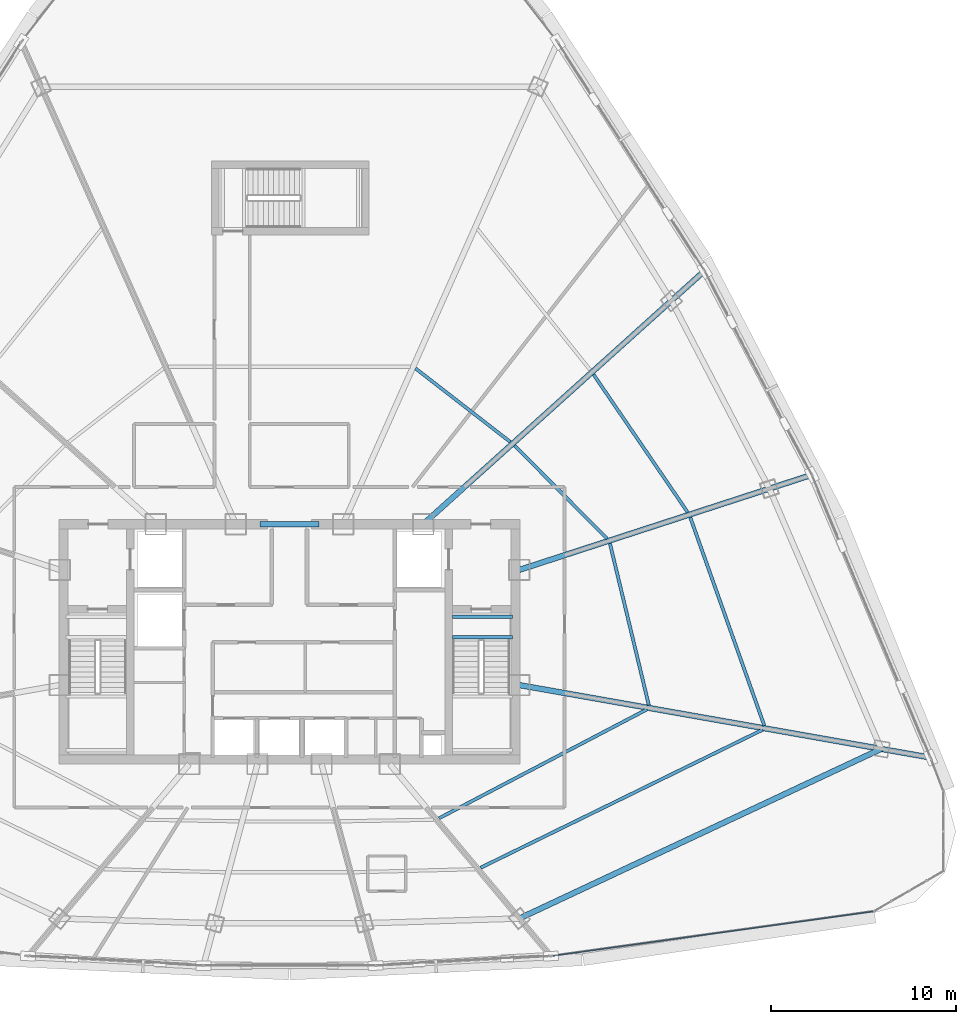
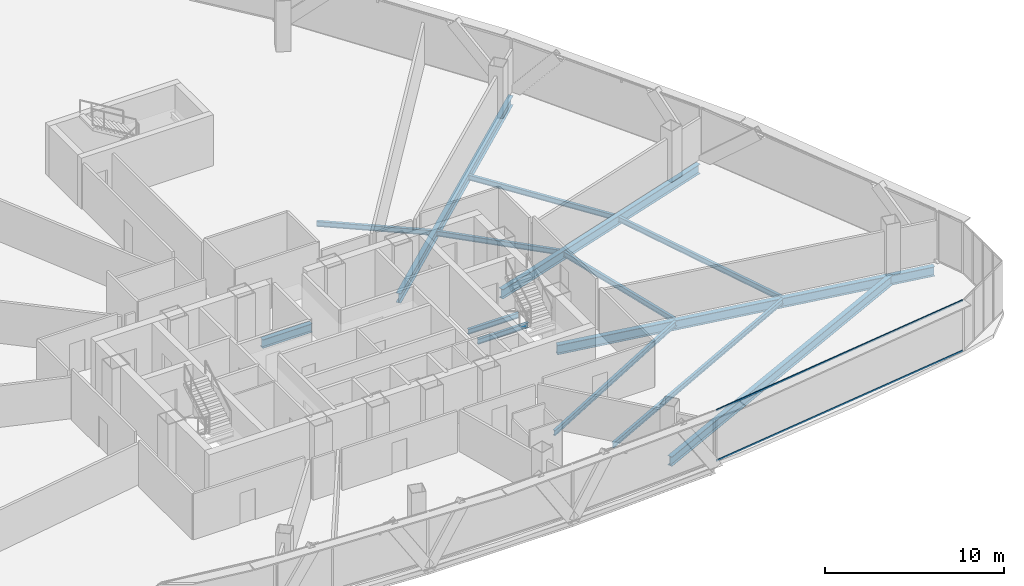
# One storey, part 13 of 37: 14 beams, 2 members, 1 element without a shape of its own.
"""IFC4 building model written with IfcOpenShell, lengths in metres."""

from ifc_helpers import new_model, si_unit, direction, frame, origin, origin_2d, place, context, subcontext, project, spatial, hollow_rectangle, i_section, extrude, source, transform, mapped, material, layer, layer_set, material_profile, profile_set, type_object, element, aggregate, save


model = new_model("IFC4")

# Units and contexts
model_context = context("Model", 3, precision=1e-05, world=origin(), true_north=direction((0.0, 1.0)))
body_context = subcontext(model_context, "Body", "Model", "MODEL_VIEW")
ifc_project = project(units=[si_unit("LENGTHUNIT", "METRE"), si_unit("AREAUNIT", "SQUARE_METRE"), si_unit("VOLUMEUNIT", "CUBIC_METRE"), si_unit("PLANEANGLEUNIT", "RADIAN"), si_unit("MASSUNIT", "GRAM", prefix="KILO"), si_unit("THERMODYNAMICTEMPERATUREUNIT", "KELVIN"), si_unit("POWERUNIT", "WATT")], contexts=[model_context])

# Site, building, storey
site_placement = place(None, origin())
site = spatial("IfcSite", under=ifc_project, at=site_placement, CompositionType="ELEMENT")
building_placement = place(site_placement, origin())
building = spatial("IfcBuilding", under=site, at=building_placement, Name="Yunzhuo Pagoda Commons", CompositionType="ELEMENT")
storey_placement = place(building_placement, frame((0.0, 0.0, 240.800048828125)))
storey = spatial("IfcBuildingStorey", under=building, at=storey_placement, Name="L60", CompositionType="ELEMENT", Elevation=240.800048828125)

# Beams
ifc_material_1 = material(Name="Structural steel Q355B", Category="steel")
ifc_material_profile_1 = material_profile(ifc_material_1, i_section(OverallWidth=0.175048828125, OverallDepth=0.35009765625, WebThickness=0.007080078125, FlangeThickness=0.010986328125, at=origin_2d()), Name="Structural steel Q355B")
ifc_profile_set_1 = profile_set([ifc_material_profile_1], Name="Structural steel Q355B")
beam_type_1 = type_object("IfcBeamType", Name="B-JS2 Joist HN 350x175x7x11", PredefinedType="JOIST", material=ifc_profile_set_1)
shared_shape_1 = source(origin(), body_context, "Body", "SweptSolid", [
    extrude(i_section(OverallWidth=0.175048828125, OverallDepth=0.35009765625, WebThickness=0.007080078125, FlangeThickness=0.010986328125, at=origin_2d()), origin(), (0.0, 0.0, 1.0), 3.25),
])
for number, where, z_axis, x_axis, name in (
    (1, (56.800048828125, 34.10009765625, -0.375), (1.0, 0.0, 0.0), (0.0, 1.0, 0.0), "L60 ST2 landing support beam 164A"),
    (2, (56.800048828125, 35.199951171875, -0.375), (1.0, 0.0, 0.0), (0.0, 1.0, 0.0), "L60 ST2 landing support beam 164B"),
):
    element("IfcBeam", number, at=place(storey_placement, frame(where, z_axis=z_axis, x_axis=x_axis)), inside=storey, type_object=beam_type_1, Name=name, PredefinedType="JOIST", context=body_context, shape_type="MappedRepresentation", body=[
        mapped(shared_shape_1, transform((0.0, 0.0, 0.0), scale=1.0)),
    ])
ifc_material_2 = material(Name="Structural steel Q420B", Category="steel")
ifc_material_profile_2 = material_profile(ifc_material_2, i_section(OverallWidth=0.300048828125, OverallDepth=0.587890625, WebThickness=0.011962890625, FlangeThickness=0.02001953125, at=origin_2d()), Name="Structural steel Q420B")
ifc_profile_set_2 = profile_set([ifc_material_profile_2], Name="Structural steel Q420B")
beam_type_2 = type_object("IfcBeamType", Name="B-CPL Beam HM 588x300x12x20", PredefinedType="BEAM", material=ifc_profile_set_2)
shared_shape_2 = source(origin(), body_context, "Body", "SweptSolid", [
    extrude(i_section(OverallWidth=0.300048828125, OverallDepth=0.587890625, WebThickness=0.011962890625, FlangeThickness=0.02001953125, at=origin_2d()), origin(), (0.0, 0.0, 1.0), 3.2001953125),
])
beam_1_placement = place(storey_placement, frame((46.39990234375, 40.199951171875, -0.553955078125), z_axis=(1.0, 0.0, 0.0), x_axis=(0.0, 1.0, 0.0)))
element("IfcBeam", 3, at=beam_1_placement, inside=storey, type_object=beam_type_2, Name="L60 core coupling girder", PredefinedType="BEAM", context=body_context, shape_type="MappedRepresentation", body=[
    mapped(shared_shape_2, transform((0.0, 0.0, 0.0), scale=1.0)),
])
ifc_material_profile_3 = material_profile(ifc_material_1, i_section(OverallWidth=0.300048828125, OverallDepth=0.64990234375, WebThickness=0.012939453125, FlangeThickness=0.02197265625, at=origin_2d()), Name="Structural steel Q355B")
ifc_profile_set_3 = profile_set([ifc_material_profile_3], Name="Structural steel Q355B")
beam_type_3 = type_object("IfcBeamType", Name="B-RG2 Beam HN 650x300x13x22", PredefinedType="BEAM", material=ifc_profile_set_3)
shared_shape_3 = source(origin(), body_context, "Body", "SweptSolid", [
    extrude(i_section(OverallWidth=0.300048828125, OverallDepth=0.64990234375, WebThickness=0.012939453125, FlangeThickness=0.02197265625, at=origin_2d()), origin(), (0.0, 0.0, 1.0), 21.56689453125),
])
beam_2_placement = place(storey_placement, frame((60.406982421875, 18.913818359375, -0.5849609375), z_axis=(0.905424265365, 0.424507832304, 0.0), x_axis=(-0.424507832304, 0.905424265365, 0.0)))
element("IfcBeam", 4, at=beam_2_placement, inside=storey, type_object=beam_type_3, Name="L60 column-ring beam 4", PredefinedType="BEAM", context=body_context, shape_type="MappedRepresentation", body=[
    mapped(shared_shape_3, transform((0.0, 0.0, 0.0), scale=1.0)),
])
shared_shape_4 = source(origin(), body_context, "Body", "SweptSolid", [
    extrude(i_section(OverallWidth=0.175048828125, OverallDepth=0.35009765625, WebThickness=0.007080078125, FlangeThickness=0.010986328125, at=origin_2d()), origin(), (0.0, 0.0, 1.0), 12.666259765625),
])
beam_3_placement = place(storey_placement, frame((56.0712890625, 24.32275390625, -0.43505859375), z_axis=(0.885841344078, 0.463988268302, 0.0), x_axis=(-0.463988268302, 0.885841344078, 0.0)))
element("IfcBeam", 5, at=beam_3_placement, inside=storey, type_object=beam_type_1, Name="L60 composite ring joist 1.4", PredefinedType="JOIST", context=body_context, shape_type="MappedRepresentation", body=[
    mapped(shared_shape_4, transform((0.0, 0.0, 0.0), scale=1.0)),
])
shared_shape_5 = source(origin(), body_context, "Body", "SweptSolid", [
    extrude(i_section(OverallWidth=0.175048828125, OverallDepth=0.35009765625, WebThickness=0.007080078125, FlangeThickness=0.010986328125, at=origin_2d()), origin(), (0.0, 0.0, 1.0), 16.95361328125),
])
beam_4_placement = place(storey_placement, frame((58.3115234375, 21.6513671875, -0.43505859375), z_axis=(0.898261717675, 0.439460904473, 0.0), x_axis=(-0.439460904473, 0.898261717675, 0.0)))
element("IfcBeam", 6, at=beam_4_placement, inside=storey, type_object=beam_type_1, Name="L60 composite ring joist 2.4", PredefinedType="JOIST", context=body_context, shape_type="MappedRepresentation", body=[
    mapped(shared_shape_5, transform((0.0, 0.0, 0.0), scale=1.0)),
])
shared_shape_6 = source(origin(), body_context, "Body", "SweptSolid", [
    extrude(i_section(OverallWidth=0.175048828125, OverallDepth=0.35009765625, WebThickness=0.007080078125, FlangeThickness=0.010986328125, at=origin_2d()), origin(), (0.0, 0.0, 1.0), 8.973876953125),
])
beam_5_placement = place(storey_placement, frame((67.395263671875, 30.42822265625, -0.43505859375), z_axis=(-0.233858589105, 0.972270620919, 0.0), x_axis=(-0.972270620919, -0.233858589105, 0.0)))
element("IfcBeam", 7, at=beam_5_placement, inside=storey, type_object=beam_type_1, Name="L60 composite ring joist 1.5", PredefinedType="JOIST", context=body_context, shape_type="MappedRepresentation", body=[
    mapped(shared_shape_6, transform((0.0, 0.0, 0.0), scale=1.0)),
])
shared_shape_7 = source(origin(), body_context, "Body", "SweptSolid", [
    extrude(i_section(OverallWidth=0.175048828125, OverallDepth=0.35009765625, WebThickness=0.007080078125, FlangeThickness=0.010986328125, at=origin_2d()), origin(), (0.0, 0.0, 1.0), 11.929931640625),
])
beam_6_placement = place(storey_placement, frame((73.6298828125, 29.3212890625, -0.43505859375), z_axis=(-0.335086374925, 0.942187413066, 0.0), x_axis=(-0.942187413066, -0.335086374925, 0.0)))
element("IfcBeam", 8, at=beam_6_placement, inside=storey, type_object=beam_type_1, Name="L60 composite ring joist 2.5", PredefinedType="JOIST", context=body_context, shape_type="MappedRepresentation", body=[
    mapped(shared_shape_7, transform((0.0, 0.0, 0.0), scale=1.0)),
])
shared_shape_8 = source(origin(), body_context, "Body", "SweptSolid", [
    extrude(i_section(OverallWidth=0.175048828125, OverallDepth=0.35009765625, WebThickness=0.007080078125, FlangeThickness=0.010986328125, at=origin_2d()), origin(), (0.0, 0.0, 1.0), 7.0732421875),
])
beam_7_placement = place(storey_placement, frame((65.147216796875, 39.42041015625, -0.43505859375), z_axis=(-0.706139657206, 0.708072584218, 0.0), x_axis=(-0.708072584218, -0.706139657206, 0.0)))
element("IfcBeam", 9, at=beam_7_placement, inside=storey, type_object=beam_type_1, Name="L60 composite ring joist 1.6", PredefinedType="JOIST", context=body_context, shape_type="MappedRepresentation", body=[
    mapped(shared_shape_8, transform((0.0, 0.0, 0.0), scale=1.0)),
])
shared_shape_9 = source(origin(), body_context, "Body", "SweptSolid", [
    extrude(i_section(OverallWidth=0.175048828125, OverallDepth=0.35009765625, WebThickness=0.007080078125, FlangeThickness=0.010986328125, at=origin_2d()), origin(), (0.0, 0.0, 1.0), 8.99365234375),
])
beam_8_placement = place(storey_placement, frame((69.4892578125, 40.8427734375, -0.43505859375), z_axis=(-0.564098900337, 0.825707230584, 0.0), x_axis=(-0.825707230584, -0.564098900337, 0.0)))
element("IfcBeam", 10, at=beam_8_placement, inside=storey, type_object=beam_type_1, Name="L60 composite ring joist 2.6", PredefinedType="JOIST", context=body_context, shape_type="MappedRepresentation", body=[
    mapped(shared_shape_9, transform((0.0, 0.0, 0.0), scale=1.0)),
])
shared_shape_10 = source(origin(), body_context, "Body", "SweptSolid", [
    extrude(i_section(OverallWidth=0.175048828125, OverallDepth=0.35009765625, WebThickness=0.007080078125, FlangeThickness=0.010986328125, at=origin_2d()), origin(), (0.0, 0.0, 1.0), 6.4677734375),
])
beam_9_placement = place(storey_placement, frame((59.914794921875, 44.638671875, -0.43505859375), z_axis=(-0.790160481991, 0.612900002202, 0.0), x_axis=(-0.612900002202, -0.790160481991, 0.0)))
element("IfcBeam", 11, at=beam_9_placement, inside=storey, type_object=beam_type_1, Name="L60 composite ring joist 1.7", PredefinedType="JOIST", context=body_context, shape_type="MappedRepresentation", body=[
    mapped(shared_shape_10, transform((0.0, 0.0, 0.0), scale=1.0)),
])
shared_shape_11 = source(origin(), body_context, "Body", "SweptSolid", [
    extrude(i_section(OverallWidth=0.300048828125, OverallDepth=0.64990234375, WebThickness=0.012939453125, FlangeThickness=0.02197265625, at=origin_2d()), origin(), (0.0, 0.0, 1.0), 22.39208984375),
])
beam_10_placement = place(storey_placement, frame((82.451904296875, 27.625244140625, -0.5849609375), z_axis=(-0.984809122528, 0.173640410577, 0.0), x_axis=(-0.173640410577, -0.984809122528, 0.0)))
element("IfcBeam", 12, at=beam_10_placement, inside=storey, type_object=beam_type_3, Name="L60 radial floor girder F2C1", PredefinedType="BEAM", context=body_context, shape_type="MappedRepresentation", body=[
    mapped(shared_shape_11, transform((0.0, 0.0, 0.0), scale=1.0)),
])
shared_shape_12 = source(origin(), body_context, "Body", "SweptSolid", [
    extrude(i_section(OverallWidth=0.300048828125, OverallDepth=0.64990234375, WebThickness=0.012939453125, FlangeThickness=0.02197265625, at=origin_2d()), origin(), (0.0, 0.0, 1.0), 16.453125),
])
beam_11_placement = place(storey_placement, frame((76.0478515625, 42.813232421875, -0.5849609375), z_axis=(-0.951058273777, -0.30901158535, 0.0), x_axis=(0.30901158535, -0.951058273777, 0.0)))
element("IfcBeam", 13, at=beam_11_placement, inside=storey, type_object=beam_type_3, Name="L60 radial floor girder F2C2", PredefinedType="BEAM", context=body_context, shape_type="MappedRepresentation", body=[
    mapped(shared_shape_12, transform((0.0, 0.0, 0.0), scale=1.0)),
])
shared_shape_13 = source(origin(), body_context, "Body", "SweptSolid", [
    extrude(i_section(OverallWidth=0.300048828125, OverallDepth=0.64990234375, WebThickness=0.012939453125, FlangeThickness=0.02197265625, at=origin_2d()), origin(), (0.0, 0.0, 1.0), 20.288818359375),
])
beam_12_placement = place(storey_placement, frame((70.29638671875, 53.77587890625, -0.5849609375), z_axis=(-0.743140353035, -0.669135573477, 0.0), x_axis=(0.669135573477, -0.743140353035, 0.0)))
element("IfcBeam", 14, at=beam_12_placement, inside=storey, type_object=beam_type_3, Name="L60 radial floor girder F2C3", PredefinedType="BEAM", context=body_context, shape_type="MappedRepresentation", body=[
    mapped(shared_shape_13, transform((0.0, 0.0, 0.0), scale=1.0)),
])

# Curtain wall, members
ifc_material_3 = material(Name="Anodized aluminium 6063-T6", Category="aluminium")
ifc_layer = layer(ifc_material_3, 0.139892578125)
ifc_layer_set = layer_set([ifc_layer], Name="Anodized aluminium 6063-T6")
curtain_wall_type = type_object("IfcCurtainWallType", Name="CW-HI High-Zone Ribbon Curtain Wall", PredefinedType="NOTDEFINED", material=ifc_layer_set)
curtain_wall_placement = place(storey_placement, origin())
curtain_wall = element("IfcCurtainWall", 15, at=curtain_wall_placement, inside=storey, type_object=curtain_wall_type, Name="L60 curtain wall CW-L60-F1B5", PredefinedType="NOTDEFINED")
ifc_material_profile_4 = material_profile(ifc_material_3, hollow_rectangle(XDim=0.054931640625, YDim=0.1201171875, WallThickness=0.00341796875, at=origin_2d()), Name="Anodized aluminium 6063-T6")
ifc_profile_set_4 = profile_set([ifc_material_profile_4], Name="Anodized aluminium 6063-T6")
member_type = type_object("IfcMemberType", Name="CW-HI-T Transom RHS 120x55x3.5", PredefinedType="USERDEFINED", material=ifc_profile_set_4)
shared_shape_14 = source(origin(), body_context, "Body", "SweptSolid", [
    extrude(hollow_rectangle(XDim=0.054931640625, YDim=0.1201171875, WallThickness=0.00341796875, at=origin_2d()), origin(), (0.0, 0.0, 1.0), 17.41650390625),
])
member_1_placement = place(storey_placement, frame((62.242919921875, 16.90380859375, 0.02734375), z_axis=(0.990534830661, 0.137261608789, 0.0), x_axis=(-0.137261608789, 0.990534830661, 0.0)))
member_1 = element("IfcMember", 16, at=member_1_placement, type_object=member_type, Name="CW transom 1.1", ObjectType="TRANSOM", PredefinedType="USERDEFINED", context=body_context, shape_type="MappedRepresentation", body=[
    mapped(shared_shape_14, transform((0.0, 0.0, 0.0), scale=1.0)),
])
member_2_placement = place(storey_placement, frame((62.242919921875, 16.90380859375, 3.4423828125), z_axis=(0.990534830661, 0.137261608789, 0.0), x_axis=(-0.137261608789, 0.990534830661, 0.0)))
member_2 = element("IfcMember", 17, at=member_2_placement, type_object=member_type, Name="CW transom 1.2", ObjectType="TRANSOM", PredefinedType="USERDEFINED", context=body_context, shape_type="MappedRepresentation", body=[
    mapped(shared_shape_14, transform((0.0, 0.0, 0.0), scale=1.0)),
])
aggregate(curtain_wall, [member_1, member_2])

save(model, "model.ifc")
